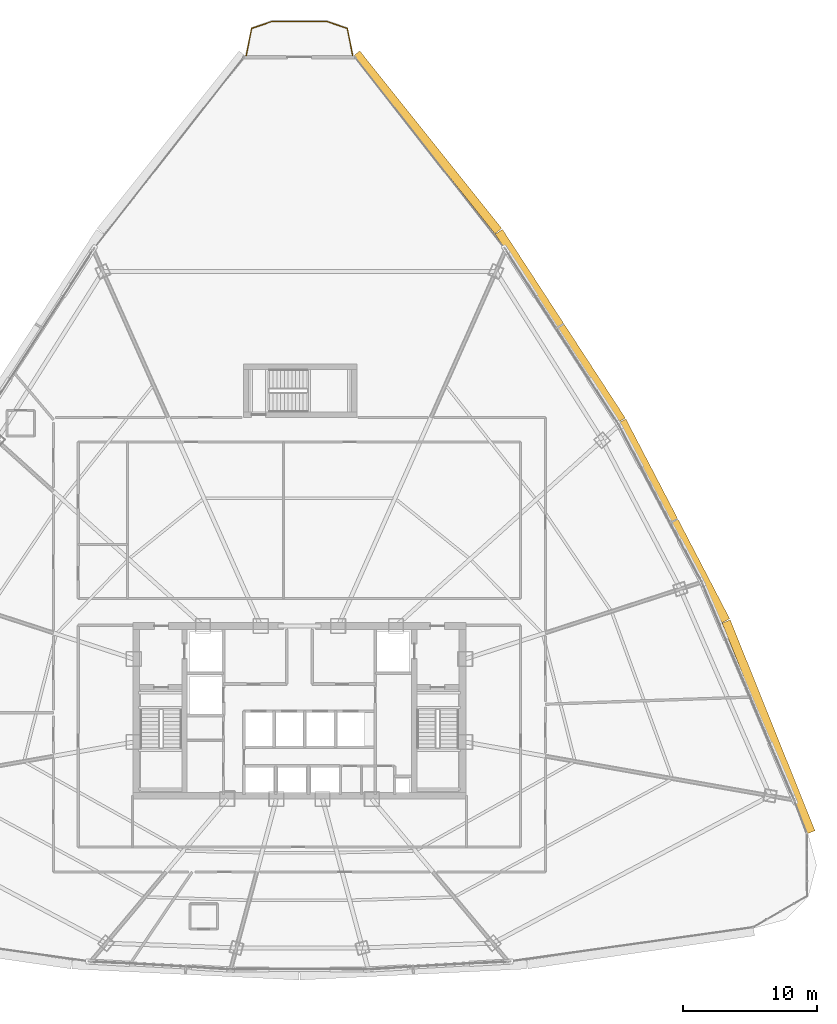
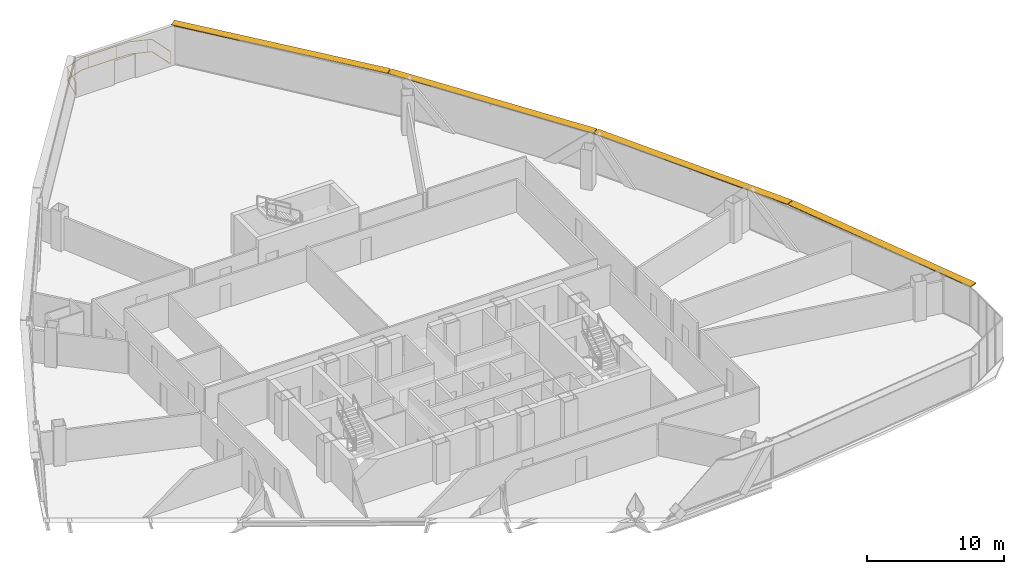
# One storey, part 38 of 38: 4 shading devices, 1 railing.
"""IFC4 building model written with IfcOpenShell, lengths in metres."""

from ifc_helpers import new_model, si_unit, direction, frame, origin, origin_2d, place, context, subcontext, project, spatial, rectangle, extrude, source, transform, mapped, material, layer, layer_set, type_object, element, save


model = new_model("IFC4")

# Units and contexts
model_context = context("Model", 3, precision=1e-05, world=origin(), true_north=direction((0.0, 1.0)))
body_context = subcontext(model_context, "Body", "Model", "MODEL_VIEW")
ifc_project = project(units=[si_unit("LENGTHUNIT", "METRE"), si_unit("AREAUNIT", "SQUARE_METRE"), si_unit("VOLUMEUNIT", "CUBIC_METRE"), si_unit("PLANEANGLEUNIT", "RADIAN"), si_unit("MASSUNIT", "GRAM", prefix="KILO"), si_unit("THERMODYNAMICTEMPERATUREUNIT", "KELVIN"), si_unit("POWERUNIT", "WATT")], contexts=[model_context])

# Site, building, storey
site_placement = place(None, origin())
site = spatial("IfcSite", under=ifc_project, at=site_placement, CompositionType="ELEMENT")
building_placement = place(site_placement, origin())
building = spatial("IfcBuilding", under=site, at=building_placement, Name="Yunzhuo Pagoda Commons", CompositionType="ELEMENT")
storey_placement = place(building_placement, frame((0.0, 0.0, 203.760009765625)))
storey = spatial("IfcBuildingStorey", under=building, at=storey_placement, Name="L51", CompositionType="ELEMENT", Elevation=203.760009765625)

# Railing
ifc_material = material(Name="Anodized aluminium 6063-T6", Category="aluminium")
railing_type = type_object("IfcRailingType", Name="RL-BAL1 Exterior Terrace & Balcony Balustrade 1150", PredefinedType="BALUSTRADE", material=ifc_material)
railing_placement = place(storey_placement, frame((51.979736328125, 82.88232421875, 0.0)))
element("IfcRailing", 1, at=railing_placement, inside=storey, type_object=railing_type, Name="L51 corner balcony balustrade V3", PredefinedType="BALUSTRADE", context=body_context, shape_type="SweptSolid", body=[
    extrude(rectangle(XDim=0.048095703125, YDim=0.048095703125, at=origin_2d()), frame((0.0, 0.0, 1.1259765625), z_axis=(-0.194200568098, 0.980961843983, 0.0), x_axis=(-0.980961843983, -0.194200568098, 0.0)), (0.0, 0.0, 1.0), 2.059326171875),
    extrude(rectangle(XDim=0.048095703125, YDim=0.048095703125, at=origin_2d()), frame((0.0, 0.0, 0.02392578125), z_axis=(-0.194200568098, 0.980961843983, 0.0), x_axis=(-0.980961843983, -0.194200568098, 0.0)), (0.0, 0.0, 1.0), 2.059326171875),
    extrude(rectangle(XDim=0.048095703125, YDim=0.048095703125, at=origin_2d()), frame((-0.39990234375, 2.02001953125, 1.1259765625), z_axis=(-0.946210819283, 0.323550746364, 0.0), x_axis=(-0.323550746364, -0.946210819283, 0.0)), (0.0, 0.0, 1.0), 1.63818359375),
    extrude(rectangle(XDim=0.048095703125, YDim=0.048095703125, at=origin_2d()), frame((-0.39990234375, 2.02001953125, 0.02392578125), z_axis=(-0.946210819283, 0.323550746364, 0.0), x_axis=(-0.323550746364, -0.946210819283, 0.0)), (0.0, 0.0, 1.0), 1.63818359375),
    extrude(rectangle(XDim=0.048095703125, YDim=0.048095703125, at=origin_2d()), frame((-1.949951171875, 2.550048828125, 1.1259765625), z_axis=(-1.0, 0.0, 0.0), x_axis=(0.0, -1.0, 0.0)), (0.0, 0.0, 1.0), 4.0595703125),
    extrude(rectangle(XDim=0.048095703125, YDim=0.048095703125, at=origin_2d()), frame((-1.949951171875, 2.550048828125, 0.02392578125), z_axis=(-1.0, 0.0, 0.0), x_axis=(0.0, -1.0, 0.0)), (0.0, 0.0, 1.0), 4.0595703125),
    extrude(rectangle(XDim=0.048095703125, YDim=0.048095703125, at=origin_2d()), frame((-6.009521484375, 2.550048828125, 1.1259765625), z_axis=(-0.946210819283, -0.323550746364, 0.0), x_axis=(0.323550746364, -0.946210819283, 0.0)), (0.0, 0.0, 1.0), 1.63818359375),
    extrude(rectangle(XDim=0.048095703125, YDim=0.048095703125, at=origin_2d()), frame((-6.009521484375, 2.550048828125, 0.02392578125), z_axis=(-0.946210819283, -0.323550746364, 0.0), x_axis=(0.323550746364, -0.946210819283, 0.0)), (0.0, 0.0, 1.0), 1.63818359375),
    extrude(rectangle(XDim=0.048095703125, YDim=0.048095703125, at=origin_2d()), frame((-7.5595703125, 2.02001953125, 1.1259765625), z_axis=(-0.194200568098, -0.980961843983, 0.0), x_axis=(0.980961843983, -0.194200568098, 0.0)), (0.0, 0.0, 1.0), 2.059326171875),
    extrude(rectangle(XDim=0.048095703125, YDim=0.048095703125, at=origin_2d()), frame((-7.5595703125, 2.02001953125, 0.02392578125), z_axis=(-0.194200568098, -0.980961843983, 0.0), x_axis=(0.980961843983, -0.194200568098, 0.0)), (0.0, 0.0, 1.0), 2.059326171875),
    extrude(rectangle(XDim=0.0419921875, YDim=0.0419921875, at=origin_2d()), origin(), (0.0, 0.0, 1.0), 1.101806640625),
    extrude(rectangle(XDim=0.0419921875, YDim=0.0419921875, at=origin_2d()), frame((-0.722412109375, 2.13037109375, 0.0)), (0.0, 0.0, 1.0), 1.101806640625),
    extrude(rectangle(XDim=0.0419921875, YDim=0.0419921875, at=origin_2d()), frame((-3.052490234375, 2.550048828125, 0.0)), (0.0, 0.0, 1.0), 1.101806640625),
    extrude(rectangle(XDim=0.0419921875, YDim=0.0419921875, at=origin_2d()), frame((-5.45263671875, 2.550048828125, 0.0)), (0.0, 0.0, 1.0), 1.101806640625),
    extrude(rectangle(XDim=0.0419921875, YDim=0.0419921875, at=origin_2d()), frame((-7.599365234375, 1.819091796875, 0.0)), (0.0, 0.0, 1.0), 1.101806640625),
    extrude(rectangle(XDim=0.0419921875, YDim=0.0419921875, at=origin_2d()), frame((-7.95947265625, 0.0, 0.0)), (0.0, 0.0, 1.0), 1.101806640625),
])

# Shading devices
ifc_layer = layer(ifc_material, 0.080078125)
ifc_layer_set = layer_set([ifc_layer], Name="Anodized aluminium 6063-T6")
shading_device_type = type_object("IfcShadingDeviceType", Name="SH-SUN1 Pagoda Horizontal Sunshade Eave 650", PredefinedType="USERDEFINED", material=ifc_layer_set)
shared_shape_1 = source(origin(), body_context, "Body", "SweptSolid", [
    extrude(rectangle(XDim=16.99755859375, YDim=0.64990234375, at=origin_2d()), origin(), (0.0, 0.0, 1.0), 0.080078125),
])
for number, where, z_axis, x_axis, name in (
    (2, (83.095458984375, 32.646728515625, 3.4599609375), (0.0, 0.0, 1.0), (-0.372987782576, 0.927836253899, 0.0), "L51 horizontal pagoda sunshade eave F2.1"),
    (3, (57.5673828125, 76.37890625, 3.4599609375), (0.0, 0.0, 1.0), (-0.624520471688, 0.781008438138, 0.0), "L51 horizontal pagoda sunshade eave F2.4"),
):
    element("IfcShadingDevice", number, at=place(storey_placement, frame(where, z_axis=z_axis, x_axis=x_axis)), inside=storey, type_object=shading_device_type, Name=name, ObjectType="SUNSHADE", PredefinedType="USERDEFINED", context=body_context, shape_type="MappedRepresentation", body=[
        mapped(shared_shape_1, transform((0.0, 0.0, 0.0), scale=1.0)),
    ])
shared_shape_2 = source(origin(), body_context, "Body", "SweptSolid", [
    extrude(rectangle(XDim=16.836181640625, YDim=0.64990234375, at=origin_2d()), origin(), (0.0, 0.0, 1.0), 0.080078125),
])
for number, where, z_axis, x_axis, name in (
    (4, (76.0166015625, 48.05908203125, 3.4599609375), (0.0, 0.0, 1.0), (-0.461206683033, 0.88729273384, 0.0), "L51 horizontal pagoda sunshade eave F2.2"),
    (5, (67.507080078125, 62.63671875, 3.4599609375), (0.0, 0.0, 1.0), (-0.545838756973, 0.837890238269, 0.0), "L51 horizontal pagoda sunshade eave F2.3"),
):
    element("IfcShadingDevice", number, at=place(storey_placement, frame(where, z_axis=z_axis, x_axis=x_axis)), inside=storey, type_object=shading_device_type, Name=name, ObjectType="SUNSHADE", PredefinedType="USERDEFINED", context=body_context, shape_type="MappedRepresentation", body=[
        mapped(shared_shape_2, transform((0.0, 0.0, 0.0), scale=1.0)),
    ])

save(model, "model.ifc")
